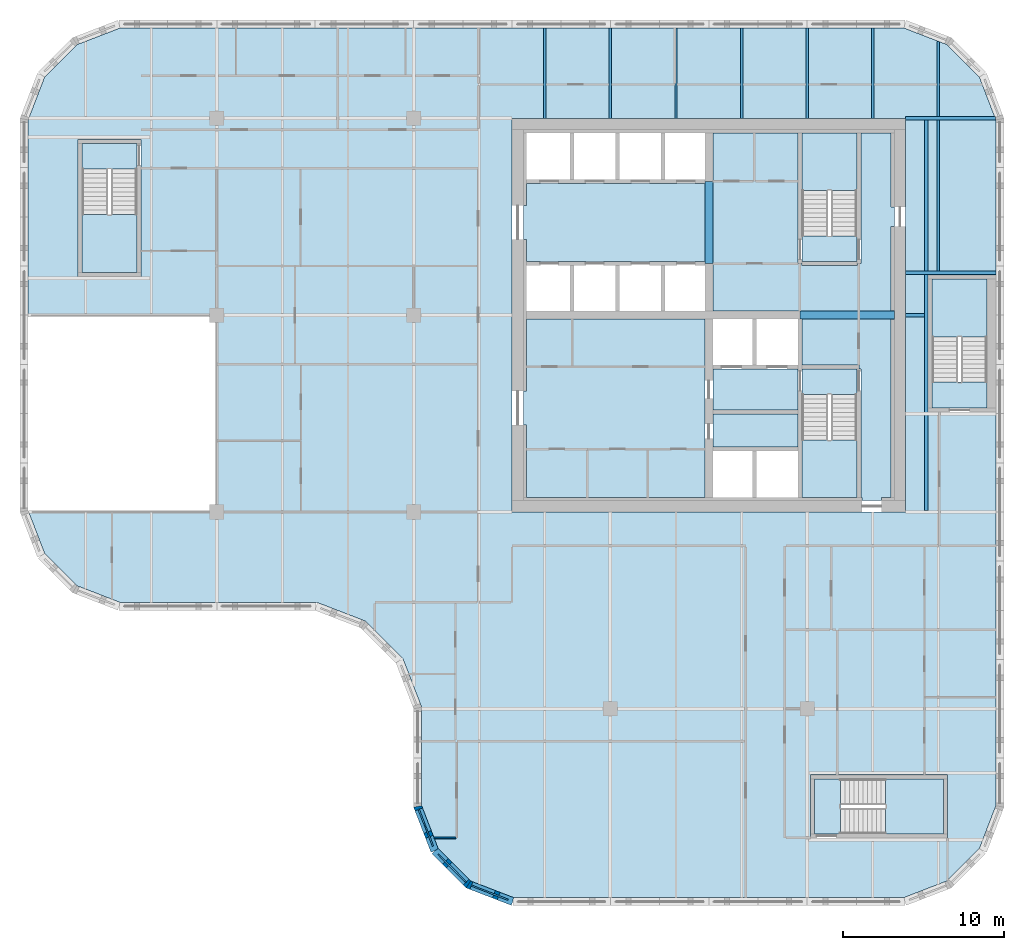
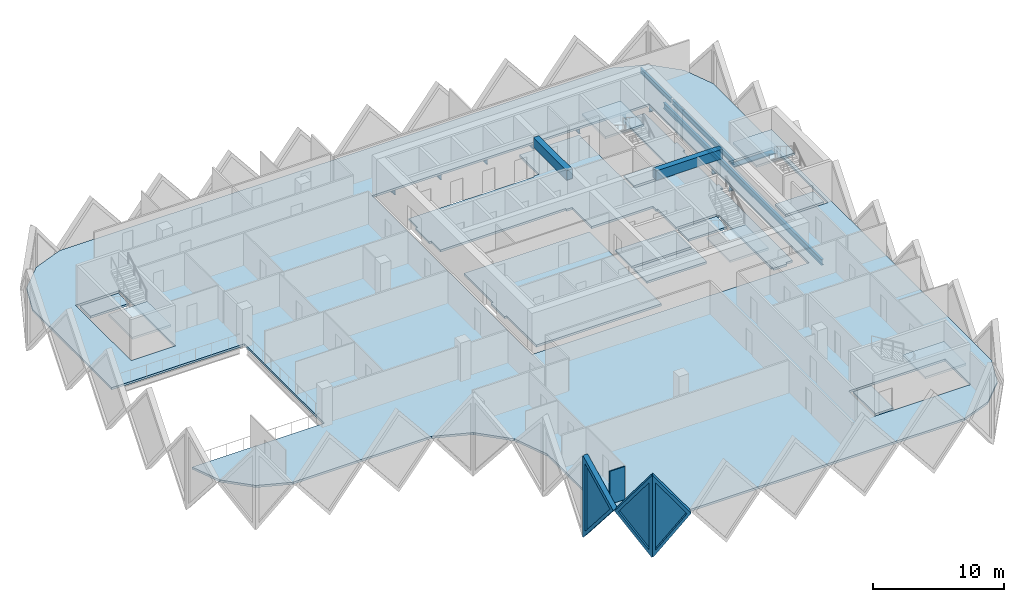
# One storey, part 2 of 12: 15 slabs, 14 beams, 4 walls, 3 plates, 3 openings, 5 elements without a shape of their own.
"""IFC4 building model written with IfcOpenShell, lengths in metres."""

import ifcopenshell
import ifcopenshell.guid

model = None  # the IFC model being written
_history = None  # IfcOwnerHistory: only IFC2X3 demands one
_inside = {}  # id of a spatial element -> (the spatial element, [elements in it])
_under = {}  # id of a project, library or spatial element -> (it, [spatial elements below it])
_declared = {}  # id of a project -> (the project, [libraries it declares])
_typed = {}  # id of a type object -> (the type object, [elements of that type])
_made_of = {}  # id of a material, layer set ... -> (it, [elements and type objects made of it])


def new_model(schema):
    """Start an empty IFC model of exactly this schema.

    Asked for "IFC4X3", IfcOpenShell would pick the latest addendum, in which some entities
    have other attributes; the version numbers below select the first issue.
    IFC2X3 requires an IfcOwnerHistory on every rooted entity: one is made here for all.
    """
    global model, _history
    if schema == "IFC4X3":
        model = ifcopenshell.file(schema_version=(4, 3, 0, 0))
    else:
        model = ifcopenshell.file(schema=schema)
    _inside.clear()
    _under.clear()
    _declared.clear()
    _typed.clear()
    _made_of.clear()
    _history = None
    if model.schema == "IFC2X3":
        org = make("IfcOrganization", Name="unknown")
        user = make(
            "IfcPersonAndOrganization",
            ThePerson=make("IfcPerson", FamilyName="unknown"),
            TheOrganization=org,
        )
        app = make(
            "IfcApplication",
            ApplicationDeveloper=org,
            Version="unknown",
            ApplicationFullName="unknown",
            ApplicationIdentifier="unknown",
        )
        _history = make(
            "IfcOwnerHistory",
            OwningUser=user,
            OwningApplication=app,
            ChangeAction="ADDED",
            CreationDate=0,
        )
    return model


def make(cls, **values):
    """One entity of the class cls with the attributes given. An attribute that is None is left unset."""
    return model.create_entity(
        cls, **{name: value for name, value in values.items() if value is not None}
    )


def rooted(cls, **values):
    """An entity with a GlobalId (a new one), such as an element, a storey or a relation."""
    return make(cls, GlobalId=ifcopenshell.guid.new(), OwnerHistory=_history, **values)


def si_unit(unit_type, name, prefix=None):
    """IfcSIUnit, for example si_unit("LENGTHUNIT", "METRE", prefix="MILLI")."""
    return make("IfcSIUnit", UnitType=unit_type, Prefix=prefix, Name=name)


def assignment(units):
    """IfcUnitAssignment: the units of a project."""
    return None if units is None else make("IfcUnitAssignment", Units=units)


def point(xyz):
    """IfcCartesianPoint."""
    return None if xyz is None else make("IfcCartesianPoint", Coordinates=xyz)


def direction(xyz):
    """IfcDirection."""
    return None if xyz is None else make("IfcDirection", DirectionRatios=xyz)


def frame(location, z_axis=None, x_axis=None):
    """IfcAxis2Placement3D, a coordinate frame: its origin and axes. An axis left out is left unset."""
    return make(
        "IfcAxis2Placement3D",
        Location=point(location),
        Axis=direction(z_axis),
        RefDirection=direction(x_axis),
    )


def frame_2d(location, x_axis=None):
    """IfcAxis2Placement2D, a coordinate frame in the plane: its origin and x axis."""
    return make(
        "IfcAxis2Placement2D", Location=point(location), RefDirection=direction(x_axis)
    )


def origin():
    """The frame at (0, 0, 0) with its axes left unset."""
    return frame((0.0, 0.0, 0.0))


def origin_2d():
    """The frame at (0, 0) in the plane with its x axis left unset."""
    return frame_2d((0.0, 0.0))


def place(relative_to, where):
    """IfcLocalPlacement: puts the frame where relative to a parent placement (None: the world)."""
    return make(
        "IfcLocalPlacement", PlacementRelTo=relative_to, RelativePlacement=where
    )


def context(
    kind, dimensions, precision=None, world=None, true_north=None, identifier=None
):
    """IfcGeometricRepresentationContext, for example the 3D "Model" context."""
    return make(
        "IfcGeometricRepresentationContext",
        ContextIdentifier=identifier,
        ContextType=kind,
        CoordinateSpaceDimension=dimensions,
        Precision=precision,
        WorldCoordinateSystem=world,
        TrueNorth=true_north,
    )


def subcontext(parent, identifier, kind, view, scale=None):
    """IfcGeometricRepresentationSubContext, for example "Body" below "Model"."""
    return make(
        "IfcGeometricRepresentationSubContext",
        ContextIdentifier=identifier,
        ContextType=kind,
        ParentContext=parent,
        TargetScale=scale,
        TargetView=view,
    )


def project(units=None, contexts=None):
    """IfcProject with its units and contexts."""
    return rooted(
        "IfcProject",
        Name="project",
        RepresentationContexts=contexts,
        UnitsInContext=assignment(units),
    )


def spatial(cls, under=None, at=None, **own):
    """A site, building, storey or space (cls), placed at a placement, below another one or the project."""
    s = rooted(cls, ObjectPlacement=at, **own)
    if under is not None:
        _under.setdefault(under.id(), (under, []))[1].append(s)
    return s


def polyline(points):
    """IfcPolyline through the points."""
    return make("IfcPolyline", Points=[point(p) for p in points])


def profile(cls, at=None, kind="AREA", **sizes):
    """A parametric profile (cls). Its sizes go by their IFC names, for example OverallWidth=200.0."""
    return make(cls, ProfileType=kind, Position=at, **sizes)


def rectangle(**sizes):
    """IfcRectangleProfileDef."""
    return profile("IfcRectangleProfileDef", **sizes)


def i_section(**sizes):
    """IfcIShapeProfileDef."""
    return profile("IfcIShapeProfileDef", **sizes)


def outline(outer, holes=None, kind="AREA"):
    """IfcArbitraryClosedProfileDef: a profile drawn as a closed curve; with holes, ...WithVoids."""
    if holes is None:
        return make("IfcArbitraryClosedProfileDef", ProfileType=kind, OuterCurve=outer)
    return make(
        "IfcArbitraryProfileDefWithVoids",
        ProfileType=kind,
        OuterCurve=outer,
        InnerCurves=holes,
    )


def extrude(swept, where, along, depth):
    """IfcExtrudedAreaSolid: the profile swept, set in the frame where, extruded along a direction by depth."""
    return make(
        "IfcExtrudedAreaSolid",
        SweptArea=swept,
        Position=where,
        ExtrudedDirection=direction(along),
        Depth=depth,
    )


def faces_of(points, faces, orient=None, outer=None):
    """IfcFace entities. A face is a list of loops; a loop is a list of indices into points, from 0.

    orient and outer hold one flag for each loop. By default every Orientation is true, the
    first loop of a face is its IfcFaceOuterBound and the others are IfcFaceBound.
    """
    made = []
    for i, loops in enumerate(faces):
        bounds = []
        for j, loop in enumerate(loops):
            is_outer = j == 0 if outer is None else outer[i][j]
            bounds.append(
                make(
                    "IfcFaceOuterBound" if is_outer else "IfcFaceBound",
                    Bound=make("IfcPolyLoop", Polygon=[points[k] for k in loop]),
                    Orientation=True if orient is None else orient[i][j],
                )
            )
        made.append(make("IfcFace", Bounds=bounds))
    return made


def faceted_brep(points, faces, orient=None, outer=None, voids=None):
    """IfcFacetedBrep: a solid bounded by flat faces; with voids (closed shells), ...WithVoids."""
    shared = [point(p) for p in points]
    hull = make("IfcClosedShell", CfsFaces=faces_of(shared, faces, orient, outer))
    if voids is None:
        return make("IfcFacetedBrep", Outer=hull)
    return make(
        "IfcFacetedBrepWithVoids",
        Outer=hull,
        Voids=[
            make(cls, CfsFaces=faces_of(shared, fs, o, b)) for cls, fs, o, b in voids
        ],
    )


def shape(context_of_items, identifier, shape_type, items):
    """IfcShapeRepresentation: the items that make up one representation, for example the "Body"."""
    return make(
        "IfcShapeRepresentation",
        ContextOfItems=context_of_items,
        RepresentationIdentifier=identifier,
        RepresentationType=shape_type,
        Items=items,
    )


def source(mapping_origin, context_of_items, identifier, shape_type, items):
    """IfcRepresentationMap: a shape defined once, which mapped items show again and again."""
    return make(
        "IfcRepresentationMap",
        MappingOrigin=mapping_origin,
        MappedRepresentation=shape(context_of_items, identifier, shape_type, items),
    )


def transform(
    local_origin,
    x_axis=None,
    y_axis=None,
    z_axis=None,
    scale=None,
    scale2=None,
    scale3=None,
    uniform=True,
):
    """IfcCartesianTransformationOperator3D, or its non-uniform kind. x_axis, y_axis, z_axis: its Axis1, 2, 3."""
    if uniform:
        return make(
            "IfcCartesianTransformationOperator3D",
            Axis1=direction(x_axis),
            Axis2=direction(y_axis),
            LocalOrigin=point(local_origin),
            Scale=scale,
            Axis3=direction(z_axis),
        )
    return make(
        "IfcCartesianTransformationOperator3DnonUniform",
        Axis1=direction(x_axis),
        Axis2=direction(y_axis),
        LocalOrigin=point(local_origin),
        Scale=scale,
        Axis3=direction(z_axis),
        Scale2=scale2,
        Scale3=scale3,
    )


def mapped(mapping_source, mapping_target):
    """IfcMappedItem: shows the shape of a source again, moved by a transform."""
    return make(
        "IfcMappedItem", MappingSource=mapping_source, MappingTarget=mapping_target
    )


def material(Name=None, Category=None):
    """IfcMaterial."""
    return make("IfcMaterial", Name=Name, Category=Category)


def layer(
    of_material, thickness, ventilated=None, Name=None, Category=None, Priority=None
):
    """IfcMaterialLayer: one layer of a wall or slab, of a material (None: an air gap)."""
    return make(
        "IfcMaterialLayer",
        Material=of_material,
        LayerThickness=thickness,
        IsVentilated=ventilated,
        Name=Name,
        Category=Category,
        Priority=Priority,
    )


def layer_set(layers, Name=None):
    """IfcMaterialLayerSet."""
    return make("IfcMaterialLayerSet", MaterialLayers=layers, LayerSetName=Name)


def material_profile(
    of_material, cross_section, Name=None, Category=None, Priority=None
):
    """IfcMaterialProfile: a cross section and its material."""
    return make(
        "IfcMaterialProfile",
        Name=Name,
        Material=of_material,
        Profile=cross_section,
        Priority=Priority,
        Category=Category,
    )


def profile_set(profiles, Name=None, composite=None):
    """IfcMaterialProfileSet."""
    return make(
        "IfcMaterialProfileSet",
        Name=Name,
        MaterialProfiles=profiles,
        CompositeProfile=composite,
    )


def made_of(thing, what):
    """Note that an element or type object is made of a material, layer set ...; save() writes the relation."""
    if what is not None:
        _made_of.setdefault(what.id(), (what, []))[1].append(thing)
    return thing


def type_object(cls, material=None, **own):
    """A type object (cls), such as IfcWallType, which elements share."""
    return made_of(rooted(cls, **own), material)


def element(
    cls,
    number,
    at=None,
    inside=None,
    cuts=None,
    type_object=None,
    material=None,
    context=None,
    identifier="Body",
    shape_type=None,
    held_by="IfcProductDefinitionShape",
    body=None,
    shapes=None,
    **own,
):
    """One element of the class cls, such as IfcWall. Its Tag is "e" and its number.

    at: its placement. inside: the storey or other place that contains it. cuts: it is an
    opening in that element (IfcRelVoidsElement). A single representation is given by context,
    identifier, shape_type and body (its items); several are given by shapes. held_by: the class
    of the entity that holds the representations. save() writes the other relations.
    """
    e = rooted(cls, Tag="e%d" % number, ObjectPlacement=at, **own)
    if body is not None:
        shapes = [shape(context, identifier, shape_type, body)]
    if shapes is not None:
        e.Representation = make(held_by, Representations=shapes)
    if inside is not None:
        _inside.setdefault(inside.id(), (inside, []))[1].append(e)
    if cuts is not None:
        rooted(
            "IfcRelVoidsElement", RelatingBuildingElement=cuts, RelatedOpeningElement=e
        )
    if type_object is not None:
        _typed.setdefault(type_object.id(), (type_object, []))[1].append(e)
    return made_of(e, material)


def fill(opening, filler):
    """IfcRelFillsElement: the door or window that sits in an opening."""
    return rooted(
        "IfcRelFillsElement",
        RelatingOpeningElement=opening,
        RelatedBuildingElement=filler,
    )


def aggregate(whole, parts):
    """IfcRelAggregates: a whole, such as a stair, and the parts it consists of."""
    return rooted("IfcRelAggregates", RelatingObject=whole, RelatedObjects=parts)


def save(model, path):
    """Write the relations noted so far, then the file.

    IfcRelAggregates (storeys below a building ...), IfcRelContainedInSpatialStructure (elements
    in a storey), IfcRelDefinesByType, IfcRelAssociatesMaterial and IfcRelDeclares: one each for
    every whole, place, type object, material and project.
    """
    for whole, parts in _under.values():
        aggregate(whole, parts)
    for where, things in _inside.values():
        rooted(
            "IfcRelContainedInSpatialStructure",
            RelatedElements=things,
            RelatingStructure=where,
        )
    for kind, things in _typed.values():
        rooted("IfcRelDefinesByType", RelatedObjects=things, RelatingType=kind)
    for what, things in _made_of.values():
        rooted("IfcRelAssociatesMaterial", RelatedObjects=things, RelatingMaterial=what)
    for by, libraries in _declared.values():
        rooted("IfcRelDeclares", RelatingContext=by, RelatedDefinitions=libraries)
    model.write(path)


model = new_model("IFC4")

# Units and contexts
model_context = context("Model", 3, precision=1e-05, world=origin(), true_north=direction((0.0, 1.0)))
body_context = subcontext(model_context, "Body", "Model", "MODEL_VIEW")
ifc_project = project(units=[si_unit("LENGTHUNIT", "METRE"), si_unit("AREAUNIT", "SQUARE_METRE"), si_unit("VOLUMEUNIT", "CUBIC_METRE"), si_unit("PLANEANGLEUNIT", "RADIAN"), si_unit("MASSUNIT", "GRAM", prefix="KILO")], contexts=[model_context])

# Site, building, storey
site_placement = place(None, origin())
site = spatial("IfcSite", under=ifc_project, at=site_placement, CompositionType="ELEMENT")
building_placement = place(site_placement, origin())
building = spatial("IfcBuilding", under=site, at=building_placement, Name="Tessera Gate Towers", CompositionType="ELEMENT")
storey_placement = place(building_placement, frame((0.0, 0.0, 139.199951171875)))
storey = spatial("IfcBuildingStorey", under=building, at=storey_placement, Name="L34", CompositionType="ELEMENT", Elevation=139.199951171875)

# Beams
ifc_material_1 = material(Name="Concrete C60/75", Category="concrete")
ifc_material_profile_1 = material_profile(ifc_material_1, rectangle(XDim=0.5, YDim=0.89990234375, at=origin_2d()), Name="RC 500x900")
ifc_profile_set_1 = profile_set([ifc_material_profile_1], Name="Concrete C60/75")
beam_type_1 = type_object("IfcBeamType", Name="COUPLING BEAM 500x900 C60/75", PredefinedType="BEAM", material=ifc_profile_set_1)
beam_1_placement = place(storey_placement, frame((48.35009765625, 36.60009765625, 3.150146484375), z_axis=(1.0, 0.0, 0.0), x_axis=(0.0, 1.0, 0.0)))
element("IfcBeam", 1, at=beam_1_placement, inside=storey, type_object=beam_type_1, Name="L34 coupling beam 1", PredefinedType="BEAM", context=body_context, shape_type="SweptSolid", body=[
    extrude(rectangle(XDim=0.5, YDim=0.89990234375, at=origin_2d()), origin(), (0.0, 0.0, 1.0), 5.849853515625),
])
beam_2_placement = place(storey_placement, frame((42.699951171875, 39.800048828125, 3.150146484375), z_axis=(0.0, 1.0, 0.0), x_axis=(-1.0, 0.0, 0.0)))
element("IfcBeam", 2, at=beam_2_placement, inside=storey, type_object=beam_type_1, Name="L34 coupling beam 2", PredefinedType="BEAM", context=body_context, shape_type="SweptSolid", body=[
    extrude(rectangle(XDim=0.5, YDim=0.89990234375, at=origin_2d()), origin(), (0.0, 0.0, 1.0), 5.099853515625),
])
ifc_material_2 = material(Name="Steel 350W", Category="steel")
ifc_material_profile_2 = material_profile(ifc_material_2, i_section(OverallWidth=0.208984375, OverallDepth=0.532958984375, WebThickness=0.01025390625, FlangeThickness=0.015625, at=origin_2d()), Name="W530x92")
ifc_profile_set_2 = profile_set([ifc_material_profile_2], Name="Steel 350W")
beam_type_2 = type_object("IfcBeamType", Name="FLOOR GIRDER W530x92", PredefinedType="BEAM", material=ifc_profile_set_2)
beam_3_placement = place(storey_placement, frame((54.89892578125, 36.60009765625, -0.466552734375), z_axis=(1.0, 0.0, 0.0), x_axis=(0.0, 1.0, 0.0)))
element("IfcBeam", 3, at=beam_3_placement, inside=storey, type_object=beam_type_2, Name="T1-GD-L34-4084", PredefinedType="BEAM", context=body_context, shape_type="SweptSolid", body=[
    extrude(i_section(OverallWidth=0.208984375, OverallDepth=0.532958984375, WebThickness=0.01025390625, FlangeThickness=0.015625, at=origin_2d()), origin(), (0.0, 0.0, 1.0), 1.176513671875),
])
beam_4_placement = place(storey_placement, frame((54.90087890625, 48.800048828125, -0.466552734375), z_axis=(1.0, 0.0, 0.0), x_axis=(0.0, 1.0, 0.0)))
element("IfcBeam", 4, at=beam_4_placement, inside=storey, type_object=beam_type_2, Name="T1-GD-L34-4088", PredefinedType="BEAM", context=body_context, shape_type="SweptSolid", body=[
    extrude(i_section(OverallWidth=0.208984375, OverallDepth=0.532958984375, WebThickness=0.01025390625, FlangeThickness=0.015625, at=origin_2d()), origin(), (0.0, 0.0, 1.0), 5.564208984375),
])
beam_5_placement = place(storey_placement, frame((54.89892578125, 39.219970703125, -0.466552734375), z_axis=(1.0, 0.0, 0.0), x_axis=(0.0, 1.0, 0.0)))
element("IfcBeam", 5, at=beam_5_placement, inside=storey, type_object=beam_type_2, Name="T1-GD-L34-4106", PredefinedType="BEAM", context=body_context, shape_type="SweptSolid", body=[
    extrude(i_section(OverallWidth=0.208984375, OverallDepth=0.532958984375, WebThickness=0.01025390625, FlangeThickness=0.015625, at=origin_2d()), origin(), (0.0, 0.0, 1.0), 5.60205078125),
])
beam_6_placement = place(storey_placement, frame((56.179931640625, 24.50439453125, -0.466552734375), z_axis=(0.0, 1.0, 0.0), x_axis=(-1.0, 0.0, 0.0)))
element("IfcBeam", 6, at=beam_6_placement, inside=storey, type_object=beam_type_2, Name="T1-GD-L34-4107", PredefinedType="BEAM", context=body_context, shape_type="SweptSolid", body=[
    extrude(i_section(OverallWidth=0.208984375, OverallDepth=0.532958984375, WebThickness=0.01025390625, FlangeThickness=0.015625, at=origin_2d()), origin(), (0.0, 0.0, 1.0), 24.191162109375),
])
ifc_material_3 = material(Name="Steel 350W", Category="steel")
ifc_material_profile_3 = material_profile(ifc_material_3, i_section(OverallWidth=0.153076171875, OverallDepth=0.455078125, WebThickness=0.008056640625, FlangeThickness=0.01318359375, at=origin_2d()), Name="W460x60")
ifc_profile_set_3 = profile_set([ifc_material_profile_3], Name="Steel 350W")
beam_type_3 = type_object("IfcBeamType", Name="FLOOR SECONDARY W460x60", PredefinedType="BEAM", material=ifc_profile_set_3)
for number, where, z_axis, x_axis, name in (
    (7, (32.533203125, 48.800048828125, -0.427490234375), (0.0, 1.0, 0.0), (-1.0, 0.0, 0.0), "T1-BM-L34-4129"),
    (8, (36.60009765625, 48.800048828125, -0.427490234375), (0.0, 1.0, 0.0), (-1.0, 0.0, 0.0), "T1-BM-L34-4130"),
    (9, (40.666748046875, 48.800048828125, -0.427490234375), (0.0, 1.0, 0.0), (-1.0, 0.0, 0.0), "T1-BM-L34-4133"),
    (10, (44.7333984375, 48.800048828125, -0.427490234375), (0.0, 1.0, 0.0), (-1.0, 0.0, 0.0), "T1-BM-L34-4136"),
    (11, (48.800048828125, 48.800048828125, -0.427490234375), (0.0, 1.0, 0.0), (-1.0, 0.0, 0.0), "T1-BM-L34-4137"),
    (12, (52.86669921875, 48.800048828125, -0.427490234375), (0.0, 1.0, 0.0), (-1.0, 0.0, 0.0), "T1-BM-L34-4141"),
):
    element("IfcBeam", number, at=place(storey_placement, frame(where, z_axis=z_axis, x_axis=x_axis)), inside=storey, type_object=beam_type_3, Name=name, PredefinedType="BEAM", context=body_context, shape_type="SweptSolid", body=[
        extrude(i_section(OverallWidth=0.153076171875, OverallDepth=0.455078125, WebThickness=0.008056640625, FlangeThickness=0.01318359375, at=origin_2d()), origin(), (0.0, 0.0, 1.0), 5.599853515625),
    ])
beam_7_placement = place(storey_placement, frame((56.933349609375, 39.324462890625, -0.427490234375), z_axis=(0.0, 1.0, 0.0), x_axis=(-1.0, 0.0, 0.0)))
element("IfcBeam", 13, at=beam_7_placement, inside=storey, type_object=beam_type_3, Name="T1-BM-L34-4146", PredefinedType="BEAM", context=body_context, shape_type="SweptSolid", body=[
    extrude(i_section(OverallWidth=0.153076171875, OverallDepth=0.455078125, WebThickness=0.008056640625, FlangeThickness=0.01318359375, at=origin_2d()), origin(), (0.0, 0.0, 1.0), 9.37109375),
])
beam_8_placement = place(storey_placement, frame((56.933349609375, 48.904541015625, -0.427490234375), z_axis=(0.0, 1.0, 0.0), x_axis=(-1.0, 0.0, 0.0)))
element("IfcBeam", 14, at=beam_8_placement, inside=storey, type_object=beam_type_3, Name="T1-BM-L34-4147", PredefinedType="BEAM", context=body_context, shape_type="SweptSolid", body=[
    extrude(i_section(OverallWidth=0.153076171875, OverallDepth=0.455078125, WebThickness=0.008056640625, FlangeThickness=0.01318359375, at=origin_2d()), origin(), (0.0, 0.0, 1.0), 4.675048828125),
])

# Slabs
ifc_material_4 = material(Name="Concrete C35/45", Category="concrete")
ifc_layer_1 = layer(ifc_material_4, 0.199951171875)
ifc_layer_set_1 = layer_set([ifc_layer_1], Name="COMPOSITE FLOOR 200")
slab_type_1 = type_object("IfcSlabType", Name="COMPOSITE FLOOR 200", PredefinedType="FLOOR", material=ifc_layer_set_1)
slab_1_placement = place(storey_placement, frame((0.0, 0.0, -0.199951171875)))
element("IfcSlab", 15, at=slab_1_placement, inside=storey, type_object=slab_type_1, Name="T1-L34", PredefinedType="FLOOR", context=body_context, shape_type="SweptSolid", body=[
    extrude(outline(polyline([(0.5, 36.60009765625), (12.199951171875, 36.60009765625), (12.199951171875, 24.39990234375), (0.535888671875, 24.39990234375), (1.526123046875, 21.8330078125), (3.533203125, 19.826171875), (6.193115234375, 18.800048828125), (18.39306640625, 18.800048828125), (21.42431640625, 17.630615234375), (23.730712890625, 15.32421875), (24.89990234375, 12.293212890625), (24.89990234375, 6.193115234375), (25.926025390625, 3.533203125), (27.93310546875, 1.526123046875), (30.593017578125, 0.5), (54.806884765625, 0.5), (57.466796875, 1.526123046875), (59.473876953125, 3.533203125), (60.5, 6.193115234375), (60.5, 48.706787109375), (59.473876953125, 51.366943359375), (57.466796875, 53.373779296875), (54.806884765625, 54.39990234375), (6.193115234375, 54.39990234375), (3.533203125, 53.373779296875), (1.526123046875, 51.366943359375), (0.5, 48.706787109375), (0.5, 36.60009765625)]), holes=[polyline([(3.60009765625, 39.0), (3.60009765625, 47.5), (7.5, 47.5), (7.5, 39.0), (3.60009765625, 39.0)]), polyline([(30.5, 24.39990234375), (30.5, 48.800048828125), (54.89990234375, 48.800048828125), (54.89990234375, 24.39990234375), (30.5, 24.39990234375)]), polyline([(49.0, 4.199951171875), (49.0, 8.10009765625), (57.5, 8.10009765625), (57.5, 4.199951171875), (49.0, 4.199951171875)]), polyline([(56.300048828125, 30.60009765625), (56.300048828125, 39.10009765625), (60.199951171875, 39.10009765625), (60.199951171875, 30.60009765625), (56.300048828125, 30.60009765625)])]), origin(), (0.0, 0.0, 1.0), 0.199951171875),
])
ifc_material_5 = material(Name="Concrete C35/45", Category="concrete")
ifc_layer_2 = layer(ifc_material_5, 0.199951171875)
ifc_layer_set_2 = layer_set([ifc_layer_2], Name="CORE FLOOR SLAB 200")
slab_type_2 = type_object("IfcSlabType", Name="CORE FLOOR SLAB 200", PredefinedType="FLOOR", material=ifc_layer_set_2)
slab_2_placement = place(storey_placement, frame((0.0, 0.0, -0.199951171875)))
element("IfcSlab", 16, at=slab_2_placement, inside=storey, type_object=slab_type_2, Name="L34 core floor slab", PredefinedType="FLOOR", context=body_context, shape_type="SweptSolid", body=[
    extrude(outline(polyline([(42.449951171875, 44.89990234375), (42.449951171875, 44.77490234375), (31.39990234375, 44.77490234375), (31.39990234375, 43.39990234375), (31.199951171875, 43.39990234375), (31.199951171875, 41.300048828125), (31.39990234375, 41.300048828125), (31.39990234375, 39.925048828125), (42.449951171875, 39.925048828125), (42.449951171875, 39.800048828125), (42.949951171875, 39.800048828125), (42.949951171875, 36.85009765625), (48.35009765625, 36.85009765625), (48.35009765625, 36.35009765625), (48.47509765625, 36.35009765625), (48.47509765625, 33.52490234375), (52.0, 33.52490234375), (52.0, 33.27490234375), (52.125, 33.27490234375), (52.125, 25.300048828125), (52.199951171875, 25.300048828125), (52.199951171875, 25.10009765625), (53.39990234375, 25.10009765625), (53.39990234375, 25.300048828125), (54.0, 25.300048828125), (54.0, 36.320068359375), (54.199951171875, 36.320068359375), (54.199951171875, 36.8798828125), (54.0, 36.8798828125), (54.0, 42.10009765625), (54.199951171875, 42.10009765625), (54.199951171875, 43.300048828125), (54.0, 43.300048828125), (54.0, 47.89990234375), (52.125, 47.89990234375), (52.125, 39.800048828125), (51.875, 39.800048828125), (51.875, 39.675048828125), (48.47509765625, 39.675048828125), (48.47509765625, 39.800048828125), (48.22509765625, 39.800048828125), (48.22509765625, 47.89990234375), (42.949951171875, 47.89990234375), (42.949951171875, 44.89990234375), (42.449951171875, 44.89990234375)])), origin(), (0.0, 0.0, 1.0), 0.199951171875),
])
slab_3_placement = place(storey_placement, frame((0.0, 0.0, -0.199951171875)))
element("IfcSlab", 17, at=slab_3_placement, inside=storey, type_object=slab_type_2, Name="L34 core floor slab", PredefinedType="FLOOR", context=body_context, shape_type="SweptSolid", body=[
    extrude(outline(polyline([(31.39990234375, 36.35009765625), (31.39990234375, 31.89990234375), (31.199951171875, 31.89990234375), (31.199951171875, 29.800048828125), (31.39990234375, 29.800048828125), (31.39990234375, 25.300048828125), (42.449951171875, 25.300048828125), (42.449951171875, 36.35009765625), (31.39990234375, 36.35009765625)])), origin(), (0.0, 0.0, 1.0), 0.199951171875),
])
slab_4_placement = place(storey_placement, frame((0.0, 0.0, -0.199951171875)))
element("IfcSlab", 18, at=slab_4_placement, inside=storey, type_object=slab_type_2, Name="L34 core floor slab", PredefinedType="FLOOR", context=body_context, shape_type="SweptSolid", body=[
    extrude(outline(polyline([(42.949951171875, 33.27490234375), (42.949951171875, 30.72509765625), (48.22509765625, 30.72509765625), (48.22509765625, 33.27490234375), (42.949951171875, 33.27490234375)])), origin(), (0.0, 0.0, 1.0), 0.199951171875),
])
slab_5_placement = place(storey_placement, frame((0.0, 0.0, -0.199951171875)))
element("IfcSlab", 19, at=slab_5_placement, inside=storey, type_object=slab_type_2, Name="L34 core floor slab", PredefinedType="FLOOR", context=body_context, shape_type="SweptSolid", body=[
    extrude(outline(polyline([(48.22509765625, 30.47509765625), (42.949951171875, 30.47509765625), (42.949951171875, 28.425048828125), (48.22509765625, 28.425048828125), (48.22509765625, 30.47509765625)])), origin(), (0.0, 0.0, 1.0), 0.199951171875),
])
slab_6_placement = place(storey_placement, frame((0.0, 0.0, -0.199951171875)))
element("IfcSlab", 20, at=slab_6_placement, inside=storey, type_object=slab_type_2, Name="L34 core floor slab", PredefinedType="FLOOR", context=body_context, shape_type="SweptSolid", body=[
    extrude(outline(polyline([(51.875, 31.675048828125), (51.875, 33.27490234375), (48.47509765625, 33.27490234375), (48.47509765625, 31.675048828125), (51.875, 31.675048828125)])), origin(), (0.0, 0.0, 1.0), 0.199951171875),
])
slab_7_placement = place(storey_placement, frame((0.0, 0.0, -0.199951171875)))
element("IfcSlab", 21, at=slab_7_placement, inside=storey, type_object=slab_type_2, Name="L34 core floor slab", PredefinedType="FLOOR", context=body_context, shape_type="SweptSolid", body=[
    extrude(outline(polyline([(48.47509765625, 41.52490234375), (48.47509765625, 39.925048828125), (51.875, 39.925048828125), (51.875, 41.52490234375), (48.47509765625, 41.52490234375)])), origin(), (0.0, 0.0, 1.0), 0.199951171875),
])
slab_8_placement = place(storey_placement, frame((0.0, 0.0, -0.199951171875)))
element("IfcSlab", 22, at=slab_8_placement, inside=storey, type_object=slab_type_2, Name="L34 ST3 floor landing", PredefinedType="FLOOR", context=body_context, shape_type="SweptSolid", body=[
    extrude(outline(polyline([(3.85009765625, 47.25), (3.85009765625, 45.64990234375), (7.25, 45.64990234375), (7.25, 47.25), (3.85009765625, 47.25)])), origin(), (0.0, 0.0, 1.0), 0.199951171875),
])
slab_9_placement = place(storey_placement, frame((0.0, 0.0, -0.199951171875)))
element("IfcSlab", 23, at=slab_9_placement, inside=storey, type_object=slab_type_2, Name="L34 ST4 floor landing", PredefinedType="FLOOR", context=body_context, shape_type="SweptSolid", body=[
    extrude(outline(polyline([(49.25, 4.449951171875), (50.85009765625, 4.449951171875), (50.85009765625, 7.85009765625), (49.25, 7.85009765625), (49.25, 4.449951171875)])), origin(), (0.0, 0.0, 1.0), 0.199951171875),
])
slab_10_placement = place(storey_placement, frame((0.0, 0.0, -0.199951171875)))
element("IfcSlab", 24, at=slab_10_placement, inside=storey, type_object=slab_type_2, Name="L34 ST5 floor landing", PredefinedType="FLOOR", context=body_context, shape_type="SweptSolid", body=[
    extrude(outline(polyline([(59.949951171875, 30.85009765625), (59.949951171875, 32.449951171875), (56.550048828125, 32.449951171875), (56.550048828125, 30.85009765625), (59.949951171875, 30.85009765625)])), origin(), (0.0, 0.0, 1.0), 0.199951171875),
])

# Stair, slab
ifc_material_6 = material(Name="Concrete C40/50", Category="concrete")
stair_type_1 = type_object("IfcStairType", Name="EXIT STAIR ST1 1600", PredefinedType="HALF_TURN_STAIR", material=ifc_material_6)
stair_1_placement = place(storey_placement, origin())
stair_1 = element("IfcStair", 25, at=stair_1_placement, inside=storey, type_object=stair_type_1, Name="L34 Protected Exit Stair ST1", PredefinedType="HALF_TURN_STAIR")
ifc_material_7 = material(Name="Concrete C40/50", Category="concrete")
ifc_layer_3 = layer(ifc_material_7, 0.199951171875)
ifc_layer_set_3 = layer_set([ifc_layer_3], Name="EXIT STAIR LANDING 200")
slab_type_3 = type_object("IfcSlabType", Name="EXIT STAIR LANDING 200", PredefinedType="LANDING", material=ifc_layer_set_3)
slab_11_placement = place(storey_placement, frame((0.0, 0.0, 1.699951171875)))
slab_11 = element("IfcSlab", 26, at=slab_11_placement, type_object=slab_type_3, Name="ST1 landing 1", PredefinedType="LANDING", context=body_context, shape_type="SweptSolid", body=[
    extrude(outline(polyline([(48.47509765625, 28.875), (48.47509765625, 25.300048828125), (51.875, 25.300048828125), (51.875, 28.875), (48.47509765625, 28.875)])), origin(), (0.0, 0.0, 1.0), 0.2001953125),
])
aggregate(stair_1, [slab_11])

ifc_material_8 = material(Name="Concrete C40/50", Category="concrete")
stair_type_2 = type_object("IfcStairType", Name="EXIT STAIR ST2 1600", PredefinedType="HALF_TURN_STAIR", material=ifc_material_8)
stair_2_placement = place(storey_placement, origin())
stair_2 = element("IfcStair", 27, at=stair_2_placement, inside=storey, type_object=stair_type_2, Name="L34 Protected Exit Stair ST2", PredefinedType="HALF_TURN_STAIR")
slab_12_placement = place(storey_placement, frame((0.0, 0.0, 1.699951171875)))
slab_12 = element("IfcSlab", 28, at=slab_12_placement, type_object=slab_type_3, Name="ST2 landing 1", PredefinedType="LANDING", context=body_context, shape_type="SweptSolid", body=[
    extrude(outline(polyline([(51.875, 44.324951171875), (51.875, 47.89990234375), (48.47509765625, 47.89990234375), (48.47509765625, 44.324951171875), (51.875, 44.324951171875)])), origin(), (0.0, 0.0, 1.0), 0.2001953125),
])
aggregate(stair_2, [slab_12])

ifc_material_9 = material(Name="Concrete C40/50", Category="concrete")
stair_type_3 = type_object("IfcStairType", Name="EXIT STAIR ST3 1600", PredefinedType="HALF_TURN_STAIR", material=ifc_material_9)
stair_3_placement = place(storey_placement, origin())
stair_3 = element("IfcStair", 29, at=stair_3_placement, inside=storey, type_object=stair_type_3, Name="L34 West Exit Stair ST3", PredefinedType="HALF_TURN_STAIR")
slab_13_placement = place(storey_placement, frame((0.0, 0.0, 1.699951171875)))
slab_13 = element("IfcSlab", 30, at=slab_13_placement, type_object=slab_type_3, Name="ST3 landing 1", PredefinedType="LANDING", context=body_context, shape_type="SweptSolid", body=[
    extrude(outline(polyline([(3.85009765625, 42.85009765625), (3.85009765625, 39.25), (7.25, 39.25), (7.25, 42.85009765625), (3.85009765625, 42.85009765625)])), origin(), (0.0, 0.0, 1.0), 0.2001953125),
])
aggregate(stair_3, [slab_13])

ifc_material_10 = material(Name="Concrete C40/50", Category="concrete")
stair_type_4 = type_object("IfcStairType", Name="EXIT STAIR ST4 1600", PredefinedType="HALF_TURN_STAIR", material=ifc_material_10)
stair_4_placement = place(storey_placement, origin())
stair_4 = element("IfcStair", 31, at=stair_4_placement, inside=storey, type_object=stair_type_4, Name="L34 South Exit Stair ST4", PredefinedType="HALF_TURN_STAIR")
slab_14_placement = place(storey_placement, frame((0.0, 0.0, 1.699951171875)))
slab_14 = element("IfcSlab", 32, at=slab_14_placement, type_object=slab_type_3, Name="ST4 landing 1", PredefinedType="LANDING", context=body_context, shape_type="SweptSolid", body=[
    extrude(outline(polyline([(53.64990234375, 4.449951171875), (57.25, 4.449951171875), (57.25, 7.85009765625), (53.64990234375, 7.85009765625), (53.64990234375, 4.449951171875)])), origin(), (0.0, 0.0, 1.0), 0.2001953125),
])
aggregate(stair_4, [slab_14])

ifc_material_11 = material(Name="Concrete C40/50", Category="concrete")
stair_type_5 = type_object("IfcStairType", Name="EXIT STAIR ST5 1600", PredefinedType="HALF_TURN_STAIR", material=ifc_material_11)
stair_5_placement = place(storey_placement, origin())
stair_5 = element("IfcStair", 33, at=stair_5_placement, inside=storey, type_object=stair_type_5, Name="L34 East Exit Stair ST5", PredefinedType="HALF_TURN_STAIR")
slab_15_placement = place(storey_placement, frame((0.0, 0.0, 1.699951171875)))
slab_15 = element("IfcSlab", 34, at=slab_15_placement, type_object=slab_type_3, Name="ST5 landing 1", PredefinedType="LANDING", context=body_context, shape_type="SweptSolid", body=[
    extrude(outline(polyline([(59.949951171875, 35.25), (59.949951171875, 38.85009765625), (56.550048828125, 38.85009765625), (56.550048828125, 35.25), (59.949951171875, 35.25)])), origin(), (0.0, 0.0, 1.0), 0.2001953125),
])
aggregate(stair_5, [slab_15])

# Wall
ifc_material_12 = material(Name="Gypsum board on steel studs", Category="steel")
ifc_layer_4 = layer(ifc_material_12, 0.10009765625)
ifc_layer_set_4 = layer_set([ifc_layer_4], Name="PARTITION 100")
wall_type_1 = type_object("IfcWallType", Name="PARTITION 100", PredefinedType="PARTITIONING", material=ifc_layer_set_4)
wall_1_placement = place(storey_placement, frame((25.668701171875, 4.199951171875, 0.0), z_axis=(0.0, 0.0, 1.0), x_axis=(1.0, 0.0, 0.0)))
element("IfcWall", 35, at=wall_1_placement, inside=storey, type_object=wall_type_1, Name="T1-L34-PW-003", PredefinedType="PARTITIONING", context=body_context, shape_type="SweptSolid", body=[
    extrude(rectangle(XDim=1.355224609375, YDim=0.10009765625, at=frame_2d((0.677734375, 0.0))), origin(), (0.0, 0.0, 1.0), 3.067138671875),
])

# Wall, opening, plate
ifc_material_13 = material(Name="Precast concrete C60/75 white", Category="concrete")
ifc_layer_5 = layer(ifc_material_13, 0.5)
ifc_layer_set_5 = layer_set([ifc_layer_5], Name="TS3 corner tessera")
wall_type_2 = type_object("IfcWallType", Name="TS3 corner tessera", PredefinedType="SOLIDWALL", material=ifc_layer_set_5)
shared_shape_1 = source(origin(), body_context, "Body", "Brep", [
    faceted_brep([(0.046630859375, -0.25, 0.0), (2.9970703125, -0.25, 3.800048828125), (0.046630859375, -0.25, 7.60009765625), (0.0, -0.25, 7.541259765625), (0.0, -0.25, 0.058837890625), (0.09326171875, 0.25, 7.5400390625), (2.9443359375, 0.25, 3.8681640625), (2.9443359375, 0.25, 3.73193359375), (0.09326171875, 0.25, 0.06005859375), (2.9970703125, 0.00048828125, 3.800048828125), (0.046630859375, 0.0, 0.0), (0.046630859375, 0.0, 7.60009765625)], [[[0, 1, 2, 3, 4]], [[5, 6, 7, 8]], [[8, 7, 9, 1, 0, 10]], [[6, 5, 11, 2, 1, 9]], [[3, 2, 11]], [[10, 0, 4]], [[8, 10, 4, 3, 11, 5]], [[9, 7, 6]]]),
])
wall_2_placement = place(storey_placement, frame((24.63330078125, 6.18994140625, -3.800048828125), z_axis=(0.0, 0.0, 1.0), x_axis=(0.359901446078, -0.932990326376, 0.0)))
wall_2 = element("IfcWall", 36, at=wall_2_placement, inside=storey, type_object=wall_type_2, Name="Precast corner tessera T1 TS3-0790", PredefinedType="SOLIDWALL", context=body_context, shape_type="MappedRepresentation", body=[
    mapped(shared_shape_1, transform((0.0, 0.0, 0.0), scale=1.0)),
])
shared_shape_2 = source(origin(), body_context, "Body", "SweptSolid", [
    extrude(outline(polyline([(0.24658203125, 0.665283203125), (2.6806640625, 3.800048828125), (0.24658203125, 6.934814453125), (0.24658203125, 0.665283203125)])), frame((0.0, 0.260009765625, 0.0), z_axis=(0.0, -1.0, 0.0), x_axis=(1.0, 0.0, 0.0)), (0.0, 0.0, 1.0), 0.52001953125),
])
opening_1_placement = place(wall_2_placement, origin())
opening_1 = element("IfcOpeningElement", 37, at=opening_1_placement, cuts=wall_2, Name="Opening T1-PL2-1219", PredefinedType="OPENING", context=body_context, shape_type="MappedRepresentation", body=[
    mapped(shared_shape_2, transform((0.0, 0.0, 0.0), scale=1.0)),
])
ifc_material_14 = material(Name="Low-e laminated glass", Category="glass")
ifc_layer_6 = layer(ifc_material_14, 0.06005859375)
ifc_layer_set_6 = layer_set([ifc_layer_6], Name="PL2 rhombic pane")
plate_type = type_object("IfcPlateType", Name="PL2 rhombic pane", PredefinedType="SHEET", material=ifc_layer_set_6)
shared_shape_3 = source(origin(), body_context, "Body", "SweptSolid", [
    extrude(outline(polyline([(0.24658203125, 0.665283203125), (2.6806640625, 3.800048828125), (0.24658203125, 6.934814453125), (0.24658203125, 0.665283203125)])), frame((0.0, 0.030029296875, 0.0), z_axis=(0.0, -1.0, 0.0), x_axis=(1.0, 0.0, 0.0)), (0.0, 0.0, 1.0), 0.06005859375),
])
plate_1_placement = place(opening_1_placement, origin())
plate_1 = element("IfcPlate", 38, at=plate_1_placement, inside=storey, type_object=plate_type, Name="Glass pane T1 PL2-1219", PredefinedType="SHEET", context=body_context, shape_type="MappedRepresentation", body=[
    mapped(shared_shape_3, transform((0.0, 0.0, 0.0), scale=1.0)),
])
fill(opening_1, plate_1)

shared_shape_4 = source(origin(), body_context, "Body", "Brep", [
    faceted_brep([(0.052978515625, -0.25, 0.0), (3.00341796875, -0.25, 3.800048828125), (0.052978515625, -0.25, 7.60009765625), (0.0, -0.25, 7.53173828125), (0.0, -0.25, 0.068359375), (0.10595703125, 0.25, 7.531982421875), (2.95703125, 0.25, 3.85986328125), (2.95703125, 0.25, 3.740234375), (0.10595703125, 0.25, 0.068115234375), (3.00341796875, 0.00048828125, 3.800048828125), (0.052978515625, 0.0, 0.0), (0.052978515625, 0.0, 7.60009765625)], [[[0, 1, 2, 3, 4]], [[5, 6, 7, 8]], [[8, 7, 9, 1, 0, 10]], [[6, 5, 11, 2, 1, 9]], [[3, 2, 11]], [[10, 0, 4]], [[8, 10, 4, 3, 11, 5]], [[9, 7, 6]]]),
])
wall_3_placement = place(storey_placement, frame((27.744384765625, 1.3310546875, -3.800048828125), z_axis=(0.0, 0.0, 1.0), x_axis=(0.932970071518, -0.359953949349, 0.0)))
wall_3 = element("IfcWall", 39, at=wall_3_placement, inside=storey, type_object=wall_type_2, Name="Precast corner tessera T1 TS3-0792", PredefinedType="SOLIDWALL", context=body_context, shape_type="MappedRepresentation", body=[
    mapped(shared_shape_4, transform((0.0, 0.0, 0.0), scale=1.0)),
])
shared_shape_5 = source(origin(), body_context, "Body", "SweptSolid", [
    extrude(outline(polyline([(0.2529296875, 0.665283203125), (2.68701171875, 3.800048828125), (0.2529296875, 6.934814453125), (0.2529296875, 0.665283203125)])), frame((0.0, 0.260009765625, 0.0), z_axis=(0.0, -1.0, 0.0), x_axis=(1.0, 0.0, 0.0)), (0.0, 0.0, 1.0), 0.52001953125),
])
opening_2_placement = place(wall_3_placement, origin())
opening_2 = element("IfcOpeningElement", 40, at=opening_2_placement, cuts=wall_3, Name="Opening T1-PL2-1221", PredefinedType="OPENING", context=body_context, shape_type="MappedRepresentation", body=[
    mapped(shared_shape_5, transform((0.0, 0.0, 0.0), scale=1.0)),
])
shared_shape_6 = source(origin(), body_context, "Body", "SweptSolid", [
    extrude(outline(polyline([(0.2529296875, 0.665283203125), (2.68701171875, 3.800048828125), (0.2529296875, 6.934814453125), (0.2529296875, 0.665283203125)])), frame((0.0, 0.030029296875, 0.0), z_axis=(0.0, -1.0, 0.0), x_axis=(1.0, 0.0, 0.0)), (0.0, 0.0, 1.0), 0.06005859375),
])
plate_2_placement = place(opening_2_placement, origin())
plate_2 = element("IfcPlate", 41, at=plate_2_placement, inside=storey, type_object=plate_type, Name="Glass pane T1 PL2-1221", PredefinedType="SHEET", context=body_context, shape_type="MappedRepresentation", body=[
    mapped(shared_shape_6, transform((0.0, 0.0, 0.0), scale=1.0)),
])
fill(opening_2, plate_2)

shared_shape_7 = source(origin(), body_context, "Body", "Brep", [
    faceted_brep([(2.944091796875, -0.25, 0.0), (2.9970703125, -0.25, 0.068115234375), (2.9970703125, -0.25, 7.531982421875), (2.944091796875, -0.25, 7.60009765625), (0.0, -0.25, 3.800048828125), (0.052978515625, 0.25, 3.868408203125), (2.89111328125, 0.25, 7.531982421875), (2.89111328125, 0.25, 0.068115234375), (0.052978515625, 0.25, 3.731689453125), (2.944091796875, 0.000244140625, 0.0), (2.944091796875, 0.000244140625, 7.60009765625), (0.0, 0.0, 3.800048828125)], [[[0, 1, 2, 3, 4]], [[5, 6, 7, 8]], [[1, 0, 9]], [[10, 3, 2]], [[6, 5, 11, 4, 3, 10]], [[8, 7, 9, 0, 4, 11]], [[8, 11, 5]], [[1, 9, 7, 6, 10, 2]]]),
])
wall_4_placement = place(storey_placement, frame((25.7119140625, 3.393798828125, -3.800048828125), z_axis=(0.0, 0.0, 1.0), x_axis=(0.707066050402, -0.707147509625, 0.0)))
wall_4 = element("IfcWall", 42, at=wall_4_placement, inside=storey, type_object=wall_type_2, Name="Precast corner tessera T1 TS3-0791", PredefinedType="SOLIDWALL", context=body_context, shape_type="MappedRepresentation", body=[
    mapped(shared_shape_7, transform((0.0, 0.0, 0.0), scale=1.0)),
])
shared_shape_8 = source(origin(), body_context, "Body", "SweptSolid", [
    extrude(outline(polyline([(2.744140625, 6.933837890625), (0.316162109375, 3.800048828125), (2.744140625, 0.66650390625), (2.744140625, 6.933837890625)])), frame((0.0, 0.260009765625, 0.0), z_axis=(0.0, -1.0, 0.0), x_axis=(1.0, 0.0, 0.0)), (0.0, 0.0, 1.0), 0.52001953125),
])
opening_3_placement = place(wall_4_placement, origin())
opening_3 = element("IfcOpeningElement", 43, at=opening_3_placement, cuts=wall_4, Name="Opening T1-PL2-1220", PredefinedType="OPENING", context=body_context, shape_type="MappedRepresentation", body=[
    mapped(shared_shape_8, transform((0.0, 0.0, 0.0), scale=1.0)),
])
shared_shape_9 = source(origin(), body_context, "Body", "SweptSolid", [
    extrude(outline(polyline([(2.744140625, 6.933837890625), (0.316162109375, 3.800048828125), (2.744140625, 0.66650390625), (2.744140625, 6.933837890625)])), frame((0.0, 0.030029296875, 0.0), z_axis=(0.0, -1.0, 0.0), x_axis=(1.0, 0.0, 0.0)), (0.0, 0.0, 1.0), 0.06005859375),
])
plate_3_placement = place(opening_3_placement, origin())
plate_3 = element("IfcPlate", 44, at=plate_3_placement, inside=storey, type_object=plate_type, Name="Glass pane T1 PL2-1220", PredefinedType="SHEET", context=body_context, shape_type="MappedRepresentation", body=[
    mapped(shared_shape_9, transform((0.0, 0.0, 0.0), scale=1.0)),
])
fill(opening_3, plate_3)

save(model, "model.ifc")
